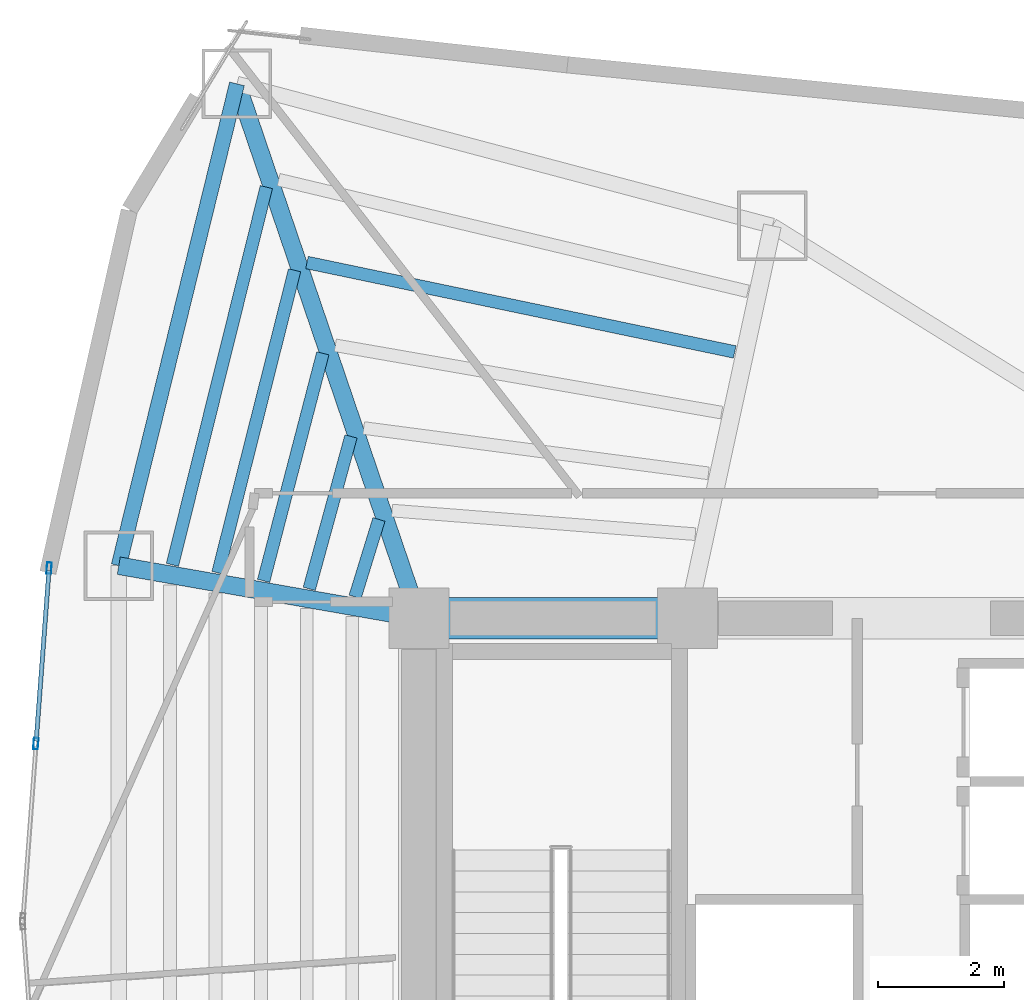
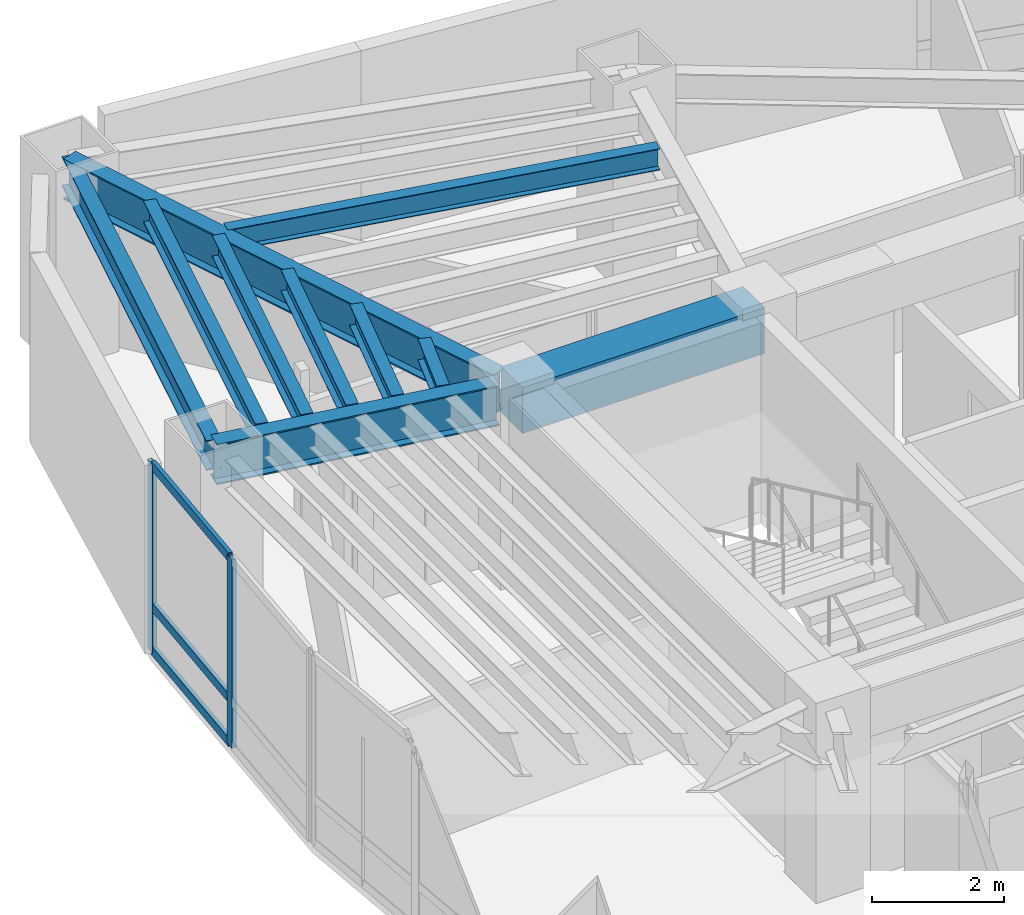
# One storey, part 7 of 18: 10 beams, 5 members, 1 element without a shape of its own.
"""IFC4 building model written with IfcOpenShell, lengths in metres."""

from ifc_helpers import new_model, si_unit, direction, frame, origin, origin_2d, place, context, subcontext, project, spatial, rectangle, hollow_rectangle, i_section, extrude, material, layer, layer_set, material_profile, profile_set, type_object, element, aggregate, save


model = new_model("IFC4")

# Units and contexts
model_context = context("Model", 3, precision=1e-05, world=origin(), true_north=direction((0.0, 1.0)))
body_context = subcontext(model_context, "Body", "Model", "MODEL_VIEW")
ifc_project = project(units=[si_unit("LENGTHUNIT", "METRE"), si_unit("AREAUNIT", "SQUARE_METRE"), si_unit("VOLUMEUNIT", "CUBIC_METRE"), si_unit("PLANEANGLEUNIT", "RADIAN"), si_unit("MASSUNIT", "GRAM", prefix="KILO")], contexts=[model_context])

# Site, building, storey
site_placement = place(None, origin())
site = spatial("IfcSite", under=ifc_project, at=site_placement, CompositionType="ELEMENT")
building_placement = place(site_placement, origin())
building = spatial("IfcBuilding", under=site, at=building_placement, Name="Menara Vayukalpa", CompositionType="ELEMENT")
storey_placement = place(building_placement, frame((0.0, 0.0, 158.0400390625)))
storey = spatial("IfcBuildingStorey", under=building, at=storey_placement, Name="L39", CompositionType="ELEMENT", Elevation=158.0400390625)

# Beams
ifc_material_1 = material(Name="Concrete C60/75", Category="concrete")
ifc_material_profile_1 = material_profile(ifc_material_1, rectangle(XDim=0.64990234375, YDim=0.85009765625, at=origin_2d()), Name="RC 650x850")
ifc_profile_set_1 = profile_set([ifc_material_profile_1], Name="Concrete C60/75")
beam_type_1 = type_object("IfcBeamType", Name="BM-CB1", PredefinedType="BEAM", material=ifc_profile_set_1)
beam_1_placement = place(storey_placement, frame((17.800048828125, 26.800048828125, 3.074951171875), z_axis=(1.0, 0.0, 0.0), x_axis=(0.0, 1.0, 0.0)))
element("IfcBeam", 1, at=beam_1_placement, inside=storey, type_object=beam_type_1, Name="L39 Core Tie Beam CBR4", PredefinedType="BEAM", context=body_context, shape_type="SweptSolid", body=[
    extrude(rectangle(XDim=0.64990234375, YDim=0.85009765625, at=origin_2d()), origin(), (0.0, 0.0, 1.0), 4.25),
])
ifc_material_2 = material(Name="Steel S355", Category="steel")
ifc_material_profile_2 = material_profile(ifc_material_2, i_section(OverallWidth=0.280029296875, OverallDepth=0.75, WebThickness=0.013916015625, FlangeThickness=0.02490234375, at=origin_2d()), Name="WF 750x280x14x25")
ifc_profile_set_2 = profile_set([ifc_material_profile_2], Name="Steel S355")
beam_type_2 = type_object("IfcBeamType", Name="BM-PG4", PredefinedType="BEAM", material=ifc_profile_set_2)
beam_2_placement = place(storey_placement, frame((17.719482421875, 27.03662109375, 3.125), z_axis=(-0.322207533072, 0.946669058136, 0.0), x_axis=(-0.946669058136, -0.322207533072, 0.0)))
element("IfcBeam", 2, at=beam_2_placement, inside=storey, type_object=beam_type_2, Name="L39 Primary Radial Girder RG04", PredefinedType="BEAM", context=body_context, shape_type="SweptSolid", body=[
    extrude(i_section(OverallWidth=0.280029296875, OverallDepth=0.75, WebThickness=0.013916015625, FlangeThickness=0.02490234375, at=origin_2d()), origin(), (0.0, 0.0, 1.0), 8.687255859375),
])
beam_3_placement = place(storey_placement, frame((17.5537109375, 26.843017578125, 3.125), z_axis=(-0.985011651805, 0.172487813505, 0.0), x_axis=(-0.172487813505, -0.985011651805, 0.0)))
element("IfcBeam", 3, at=beam_3_placement, inside=storey, type_object=beam_type_2, Name="L39 Primary Radial Girder RG05", PredefinedType="BEAM", context=body_context, shape_type="SweptSolid", body=[
    extrude(i_section(OverallWidth=0.280029296875, OverallDepth=0.75, WebThickness=0.013916015625, FlangeThickness=0.02490234375, at=origin_2d()), origin(), (0.0, 0.0, 1.0), 4.5732421875),
])
ifc_material_3 = material(Name="Steel S355", Category="steel")
ifc_material_profile_3 = material_profile(ifc_material_3, i_section(OverallWidth=0.199951171875, OverallDepth=0.39990234375, WebThickness=0.008056640625, FlangeThickness=0.012939453125, at=origin_2d()), Name="WF 400x200x8x13")
ifc_profile_set_3 = profile_set([ifc_material_profile_3], Name="Steel S355")
beam_type_3 = type_object("IfcBeamType", Name="BM-SJ2", PredefinedType="JOIST", material=ifc_profile_set_3)
beam_4_placement = place(storey_placement, frame((22.80029296875, 31.015625, 3.300048828125), z_axis=(-0.97882747282, 0.204687025611, 0.0), x_axis=(-0.204687025611, -0.97882747282, 0.0)))
element("IfcBeam", 4, at=beam_4_placement, inside=storey, type_object=beam_type_3, Name="L39 Secondary Floor Joist SJ03-4", PredefinedType="JOIST", context=body_context, shape_type="SweptSolid", body=[
    extrude(i_section(OverallWidth=0.199951171875, OverallDepth=0.39990234375, WebThickness=0.008056640625, FlangeThickness=0.012939453125, at=origin_2d()), origin(), (0.0, 0.0, 1.0), 6.91796875),
])
beam_5_placement = place(storey_placement, frame((17.16845703125, 28.364013671875, 3.300048828125), z_axis=(-0.294914687622, -0.955523587896, 0.0), x_axis=(0.955523587896, -0.294914687622, 0.0)))
element("IfcBeam", 5, at=beam_5_placement, inside=storey, type_object=beam_type_3, Name="L39 Secondary Floor Joist SJ04-1", PredefinedType="JOIST", context=body_context, shape_type="SweptSolid", body=[
    extrude(i_section(OverallWidth=0.199951171875, OverallDepth=0.39990234375, WebThickness=0.008056640625, FlangeThickness=0.012939453125, at=origin_2d()), origin(), (0.0, 0.0, 1.0), 1.283203125),
])
beam_6_placement = place(storey_placement, frame((16.7255859375, 29.678466796875, 3.300048828125), z_axis=(-0.264264990211, -0.96445011014, 0.0), x_axis=(0.96445011014, -0.264264990211, 0.0)))
element("IfcBeam", 6, at=beam_6_placement, inside=storey, type_object=beam_type_3, Name="L39 Secondary Floor Joist SJ04-2", PredefinedType="JOIST", context=body_context, shape_type="SweptSolid", body=[
    extrude(i_section(OverallWidth=0.199951171875, OverallDepth=0.39990234375, WebThickness=0.008056640625, FlangeThickness=0.012939453125, at=origin_2d()), origin(), (0.0, 0.0, 1.0), 2.501708984375),
])
beam_7_placement = place(storey_placement, frame((16.27978515625, 30.993896484375, 3.300048828125), z_axis=(-0.25203199701, -0.967718901584, 0.0), x_axis=(0.967718901584, -0.25203199701, 0.0)))
element("IfcBeam", 7, at=beam_7_placement, inside=storey, type_object=beam_type_3, Name="L39 Secondary Floor Joist SJ04-3", PredefinedType="JOIST", context=body_context, shape_type="SweptSolid", body=[
    extrude(i_section(OverallWidth=0.199951171875, OverallDepth=0.39990234375, WebThickness=0.008056640625, FlangeThickness=0.012939453125, at=origin_2d()), origin(), (0.0, 0.0, 1.0), 3.7216796875),
])
beam_8_placement = place(storey_placement, frame((15.8330078125, 32.309326171875, 3.300048828125), z_axis=(-0.245487100754, -0.969399857315, 0.0), x_axis=(0.969399857315, -0.245487100754, 0.0)))
element("IfcBeam", 8, at=beam_8_placement, inside=storey, type_object=beam_type_3, Name="L39 Secondary Floor Joist SJ04-4", PredefinedType="JOIST", context=body_context, shape_type="SweptSolid", body=[
    extrude(i_section(OverallWidth=0.199951171875, OverallDepth=0.39990234375, WebThickness=0.008056640625, FlangeThickness=0.012939453125, at=origin_2d()), origin(), (0.0, 0.0, 1.0), 4.941650390625),
])
beam_9_placement = place(storey_placement, frame((15.3857421875, 33.625, 3.300048828125), z_axis=(-0.241360851184, -0.970435438098, 0.0), x_axis=(0.970435438098, -0.241360851184, 0.0)))
element("IfcBeam", 9, at=beam_9_placement, inside=storey, type_object=beam_type_3, Name="L39 Secondary Floor Joist SJ04-5", PredefinedType="JOIST", context=body_context, shape_type="SweptSolid", body=[
    extrude(i_section(OverallWidth=0.199951171875, OverallDepth=0.39990234375, WebThickness=0.008056640625, FlangeThickness=0.012939453125, at=origin_2d()), origin(), (0.0, 0.0, 1.0), 6.162109375),
])
ifc_material_4 = material(Name="Steel S355", Category="steel")
ifc_material_profile_4 = material_profile(ifc_material_4, i_section(OverallWidth=0.239990234375, OverallDepth=0.550048828125, WebThickness=0.010986328125, FlangeThickness=0.01904296875, at=origin_2d()), Name="WF 550x240x11x19")
ifc_profile_set_4 = profile_set([ifc_material_profile_4], Name="Steel S355")
beam_type_4 = type_object("IfcBeamType", Name="BM-SP2", PredefinedType="SPANDREL", material=ifc_profile_set_4)
beam_10_placement = place(storey_placement, frame((14.92041015625, 35.260498046875, 3.224853515625), z_axis=(-0.238240335346, -0.971206230733, 0.0), x_axis=(0.971206230733, -0.238240335346, 0.0)))
element("IfcBeam", 10, at=beam_10_placement, inside=storey, type_object=beam_type_4, Name="L39 Perimeter Spandrel Beam SP04", PredefinedType="SPANDREL", context=body_context, shape_type="SweptSolid", body=[
    extrude(i_section(OverallWidth=0.239990234375, OverallDepth=0.550048828125, WebThickness=0.010986328125, FlangeThickness=0.01904296875, at=origin_2d()), origin(), (0.0, 0.0, 1.0), 7.854736328125),
])

# Curtain wall, members
ifc_material_5 = material(Name="Anodised Terracotta Aluminium Alloy 6063-T6", Category="masonry")
ifc_layer = layer(ifc_material_5, 0.179931640625)
ifc_layer_set = layer_set([ifc_layer], Name="Anodised Terracotta Aluminium Alloy 6063-T6")
curtain_wall_type = type_object("IfcCurtainWallType", Name="CW-CW4", PredefinedType="USERDEFINED", material=ifc_layer_set)
curtain_wall_placement = place(storey_placement, origin())
curtain_wall = element("IfcCurtainWall", 11, at=curtain_wall_placement, inside=storey, type_object=curtain_wall_type, Name="L39 Sky Bar Cantilever Glazed Curtain Wall CW4 10", ObjectType="UNITISED", PredefinedType="USERDEFINED")
ifc_material_6 = material(Name="Anodised Terracotta Aluminium Alloy 6063-T6", Category="masonry")
ifc_material_profile_5 = material_profile(ifc_material_6, hollow_rectangle(XDim=0.074951171875, YDim=0.179931640625, WallThickness=0.00390625, at=origin_2d()), Name="ALU 75x180x4")
ifc_profile_set_5 = profile_set([ifc_material_profile_5], Name="Anodised Terracotta Aluminium Alloy 6063-T6")
member_type_1 = type_object("IfcMemberType", Name="CWM-CW4", PredefinedType="MULLION", material=ifc_profile_set_5)
member_1_placement = place(storey_placement, frame((11.9462890625, 27.594482421875, 0.0), z_axis=(0.0, 0.0, 1.0), x_axis=(0.997199111801, -0.074792589364, 0.0)))
member_1 = element("IfcMember", 12, at=member_1_placement, type_object=member_type_1, Name="CW4 mullion 1", PredefinedType="MULLION", context=body_context, shape_type="SweptSolid", body=[
    extrude(hollow_rectangle(XDim=0.074951171875, YDim=0.179931640625, WallThickness=0.00390625, at=origin_2d()), origin(), (0.0, 0.0, 1.0), 3.5),
])
member_2_placement = place(storey_placement, frame((11.73779296875, 24.81591796875, 0.0), z_axis=(0.0, 0.0, 1.0), x_axis=(0.997199111801, -0.074792589364, 0.0)))
member_2 = element("IfcMember", 13, at=member_2_placement, type_object=member_type_1, Name="CW4 mullion 2", PredefinedType="MULLION", context=body_context, shape_type="SweptSolid", body=[
    extrude(hollow_rectangle(XDim=0.074951171875, YDim=0.179931640625, WallThickness=0.00390625, at=origin_2d()), origin(), (0.0, 0.0, 1.0), 3.5),
])
ifc_material_7 = material(Name="Anodised Terracotta Aluminium Alloy 6063-T6", Category="masonry")
ifc_material_profile_6 = material_profile(ifc_material_7, hollow_rectangle(XDim=0.070068359375, YDim=0.1650390625, WallThickness=0.00390625, at=origin_2d()), Name="ALU 70x165x4")
ifc_profile_set_6 = profile_set([ifc_material_profile_6], Name="Anodised Terracotta Aluminium Alloy 6063-T6")
member_type_2 = type_object("IfcMemberType", Name="CWT-CW4", PredefinedType="USERDEFINED", material=ifc_profile_set_6)
member_3_placement = place(storey_placement, frame((11.943603515625, 27.55712890625, 0.034912109375), z_axis=(-0.074823524461, -0.997196791104, 0.0), x_axis=(0.997196791104, -0.074823524461, 0.0)))
member_3 = element("IfcMember", 14, at=member_3_placement, type_object=member_type_2, Name="CW4 transom 1.1", ObjectType="TRANSOM", PredefinedType="USERDEFINED", context=body_context, shape_type="SweptSolid", body=[
    extrude(hollow_rectangle(XDim=0.070068359375, YDim=0.1650390625, WallThickness=0.00390625, at=origin_2d()), origin(), (0.0, 0.0, 1.0), 2.71142578125),
])
member_4_placement = place(storey_placement, frame((11.943603515625, 27.55712890625, 0.849853515625), z_axis=(-0.074823524461, -0.997196791104, 0.0), x_axis=(0.997196791104, -0.074823524461, 0.0)))
member_4 = element("IfcMember", 15, at=member_4_placement, type_object=member_type_2, Name="CW4 transom 1.2", ObjectType="TRANSOM", PredefinedType="USERDEFINED", context=body_context, shape_type="SweptSolid", body=[
    extrude(hollow_rectangle(XDim=0.070068359375, YDim=0.1650390625, WallThickness=0.00390625, at=origin_2d()), origin(), (0.0, 0.0, 1.0), 2.71142578125),
])
member_5_placement = place(storey_placement, frame((11.943603515625, 27.55712890625, 3.46484375), z_axis=(-0.074823524461, -0.997196791104, 0.0), x_axis=(0.997196791104, -0.074823524461, 0.0)))
member_5 = element("IfcMember", 16, at=member_5_placement, type_object=member_type_2, Name="CW4 transom 1.3", ObjectType="TRANSOM", PredefinedType="USERDEFINED", context=body_context, shape_type="SweptSolid", body=[
    extrude(hollow_rectangle(XDim=0.070068359375, YDim=0.1650390625, WallThickness=0.00390625, at=origin_2d()), origin(), (0.0, 0.0, 1.0), 2.71142578125),
])
aggregate(curtain_wall, [member_1, member_2, member_3, member_4, member_5])

save(model, "model.ifc")
